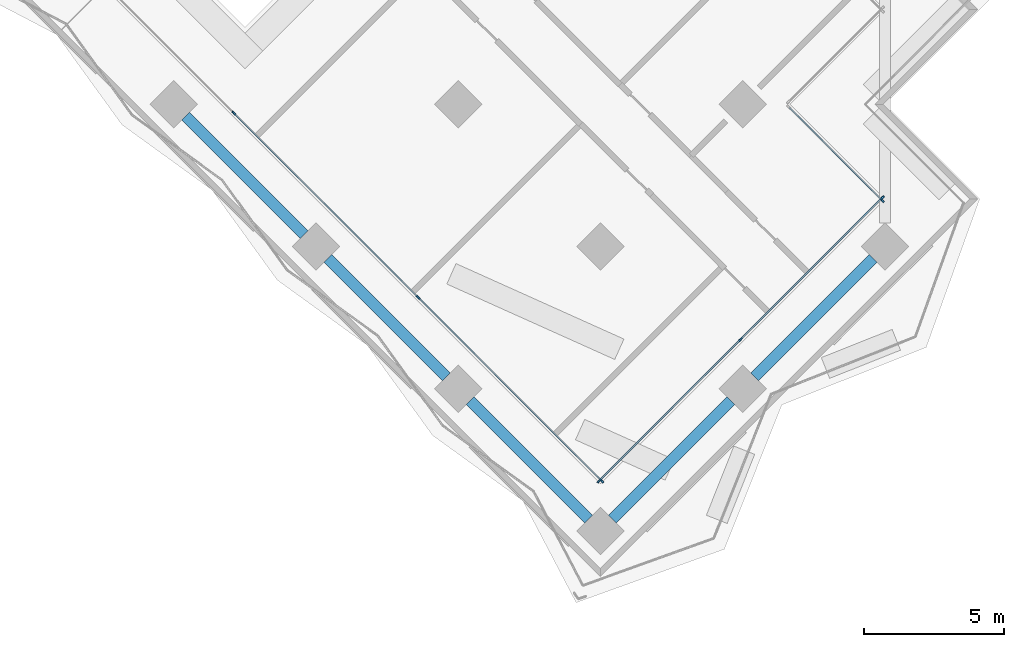
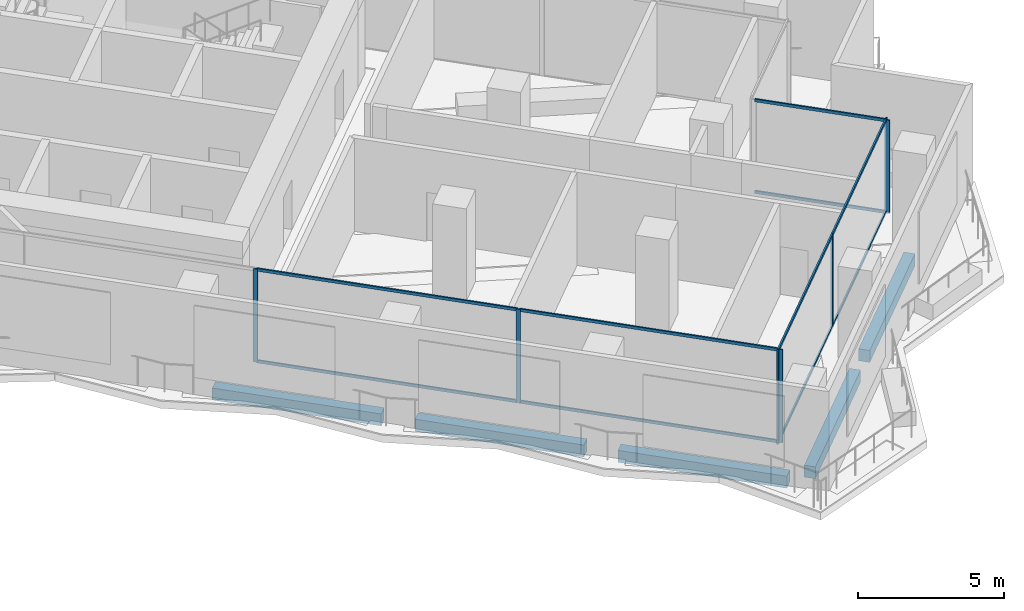
# One storey, part 9 of 24: 17 members, 5 beams, 3 elements without a shape of their own.
"""IFC4 building model written with IfcOpenShell, lengths in metres."""

import ifcopenshell
import ifcopenshell.guid

model = None  # the IFC model being written
_history = None  # IfcOwnerHistory: only IFC2X3 demands one
_inside = {}  # id of a spatial element -> (the spatial element, [elements in it])
_under = {}  # id of a project, library or spatial element -> (it, [spatial elements below it])
_declared = {}  # id of a project -> (the project, [libraries it declares])
_typed = {}  # id of a type object -> (the type object, [elements of that type])
_made_of = {}  # id of a material, layer set ... -> (it, [elements and type objects made of it])


def new_model(schema):
    """Start an empty IFC model of exactly this schema.

    Asked for "IFC4X3", IfcOpenShell would pick the latest addendum, in which some entities
    have other attributes; the version numbers below select the first issue.
    IFC2X3 requires an IfcOwnerHistory on every rooted entity: one is made here for all.
    """
    global model, _history
    if schema == "IFC4X3":
        model = ifcopenshell.file(schema_version=(4, 3, 0, 0))
    else:
        model = ifcopenshell.file(schema=schema)
    _inside.clear()
    _under.clear()
    _declared.clear()
    _typed.clear()
    _made_of.clear()
    _history = None
    if model.schema == "IFC2X3":
        org = make("IfcOrganization", Name="unknown")
        user = make(
            "IfcPersonAndOrganization",
            ThePerson=make("IfcPerson", FamilyName="unknown"),
            TheOrganization=org,
        )
        app = make(
            "IfcApplication",
            ApplicationDeveloper=org,
            Version="unknown",
            ApplicationFullName="unknown",
            ApplicationIdentifier="unknown",
        )
        _history = make(
            "IfcOwnerHistory",
            OwningUser=user,
            OwningApplication=app,
            ChangeAction="ADDED",
            CreationDate=0,
        )
    return model


def make(cls, **values):
    """One entity of the class cls with the attributes given. An attribute that is None is left unset."""
    return model.create_entity(
        cls, **{name: value for name, value in values.items() if value is not None}
    )


def rooted(cls, **values):
    """An entity with a GlobalId (a new one), such as an element, a storey or a relation."""
    return make(cls, GlobalId=ifcopenshell.guid.new(), OwnerHistory=_history, **values)


def si_unit(unit_type, name, prefix=None):
    """IfcSIUnit, for example si_unit("LENGTHUNIT", "METRE", prefix="MILLI")."""
    return make("IfcSIUnit", UnitType=unit_type, Prefix=prefix, Name=name)


def assignment(units):
    """IfcUnitAssignment: the units of a project."""
    return None if units is None else make("IfcUnitAssignment", Units=units)


def point(xyz):
    """IfcCartesianPoint."""
    return None if xyz is None else make("IfcCartesianPoint", Coordinates=xyz)


def direction(xyz):
    """IfcDirection."""
    return None if xyz is None else make("IfcDirection", DirectionRatios=xyz)


def frame(location, z_axis=None, x_axis=None):
    """IfcAxis2Placement3D, a coordinate frame: its origin and axes. An axis left out is left unset."""
    return make(
        "IfcAxis2Placement3D",
        Location=point(location),
        Axis=direction(z_axis),
        RefDirection=direction(x_axis),
    )


def frame_2d(location, x_axis=None):
    """IfcAxis2Placement2D, a coordinate frame in the plane: its origin and x axis."""
    return make(
        "IfcAxis2Placement2D", Location=point(location), RefDirection=direction(x_axis)
    )


def origin():
    """The frame at (0, 0, 0) with its axes left unset."""
    return frame((0.0, 0.0, 0.0))


def origin_2d():
    """The frame at (0, 0) in the plane with its x axis left unset."""
    return frame_2d((0.0, 0.0))


def place(relative_to, where):
    """IfcLocalPlacement: puts the frame where relative to a parent placement (None: the world)."""
    return make(
        "IfcLocalPlacement", PlacementRelTo=relative_to, RelativePlacement=where
    )


def context(
    kind, dimensions, precision=None, world=None, true_north=None, identifier=None
):
    """IfcGeometricRepresentationContext, for example the 3D "Model" context."""
    return make(
        "IfcGeometricRepresentationContext",
        ContextIdentifier=identifier,
        ContextType=kind,
        CoordinateSpaceDimension=dimensions,
        Precision=precision,
        WorldCoordinateSystem=world,
        TrueNorth=true_north,
    )


def subcontext(parent, identifier, kind, view, scale=None):
    """IfcGeometricRepresentationSubContext, for example "Body" below "Model"."""
    return make(
        "IfcGeometricRepresentationSubContext",
        ContextIdentifier=identifier,
        ContextType=kind,
        ParentContext=parent,
        TargetScale=scale,
        TargetView=view,
    )


def project(units=None, contexts=None):
    """IfcProject with its units and contexts."""
    return rooted(
        "IfcProject",
        Name="project",
        RepresentationContexts=contexts,
        UnitsInContext=assignment(units),
    )


def spatial(cls, under=None, at=None, **own):
    """A site, building, storey or space (cls), placed at a placement, below another one or the project."""
    s = rooted(cls, ObjectPlacement=at, **own)
    if under is not None:
        _under.setdefault(under.id(), (under, []))[1].append(s)
    return s


def profile(cls, at=None, kind="AREA", **sizes):
    """A parametric profile (cls). Its sizes go by their IFC names, for example OverallWidth=200.0."""
    return make(cls, ProfileType=kind, Position=at, **sizes)


def rectangle(**sizes):
    """IfcRectangleProfileDef."""
    return profile("IfcRectangleProfileDef", **sizes)


def extrude(swept, where, along, depth):
    """IfcExtrudedAreaSolid: the profile swept, set in the frame where, extruded along a direction by depth."""
    return make(
        "IfcExtrudedAreaSolid",
        SweptArea=swept,
        Position=where,
        ExtrudedDirection=direction(along),
        Depth=depth,
    )


def shape(context_of_items, identifier, shape_type, items):
    """IfcShapeRepresentation: the items that make up one representation, for example the "Body"."""
    return make(
        "IfcShapeRepresentation",
        ContextOfItems=context_of_items,
        RepresentationIdentifier=identifier,
        RepresentationType=shape_type,
        Items=items,
    )


def material(Name=None, Category=None):
    """IfcMaterial."""
    return make("IfcMaterial", Name=Name, Category=Category)


def material_profile(
    of_material, cross_section, Name=None, Category=None, Priority=None
):
    """IfcMaterialProfile: a cross section and its material."""
    return make(
        "IfcMaterialProfile",
        Name=Name,
        Material=of_material,
        Profile=cross_section,
        Priority=Priority,
        Category=Category,
    )


def profile_set(profiles, Name=None, composite=None):
    """IfcMaterialProfileSet."""
    return make(
        "IfcMaterialProfileSet",
        Name=Name,
        MaterialProfiles=profiles,
        CompositeProfile=composite,
    )


def made_of(thing, what):
    """Note that an element or type object is made of a material, layer set ...; save() writes the relation."""
    if what is not None:
        _made_of.setdefault(what.id(), (what, []))[1].append(thing)
    return thing


def type_object(cls, material=None, **own):
    """A type object (cls), such as IfcWallType, which elements share."""
    return made_of(rooted(cls, **own), material)


def element(
    cls,
    number,
    at=None,
    inside=None,
    cuts=None,
    type_object=None,
    material=None,
    context=None,
    identifier="Body",
    shape_type=None,
    held_by="IfcProductDefinitionShape",
    body=None,
    shapes=None,
    **own,
):
    """One element of the class cls, such as IfcWall. Its Tag is "e" and its number.

    at: its placement. inside: the storey or other place that contains it. cuts: it is an
    opening in that element (IfcRelVoidsElement). A single representation is given by context,
    identifier, shape_type and body (its items); several are given by shapes. held_by: the class
    of the entity that holds the representations. save() writes the other relations.
    """
    e = rooted(cls, Tag="e%d" % number, ObjectPlacement=at, **own)
    if body is not None:
        shapes = [shape(context, identifier, shape_type, body)]
    if shapes is not None:
        e.Representation = make(held_by, Representations=shapes)
    if inside is not None:
        _inside.setdefault(inside.id(), (inside, []))[1].append(e)
    if cuts is not None:
        rooted(
            "IfcRelVoidsElement", RelatingBuildingElement=cuts, RelatedOpeningElement=e
        )
    if type_object is not None:
        _typed.setdefault(type_object.id(), (type_object, []))[1].append(e)
    return made_of(e, material)


def aggregate(whole, parts):
    """IfcRelAggregates: a whole, such as a stair, and the parts it consists of."""
    return rooted("IfcRelAggregates", RelatingObject=whole, RelatedObjects=parts)


def save(model, path):
    """Write the relations noted so far, then the file.

    IfcRelAggregates (storeys below a building ...), IfcRelContainedInSpatialStructure (elements
    in a storey), IfcRelDefinesByType, IfcRelAssociatesMaterial and IfcRelDeclares: one each for
    every whole, place, type object, material and project.
    """
    for whole, parts in _under.values():
        aggregate(whole, parts)
    for where, things in _inside.values():
        rooted(
            "IfcRelContainedInSpatialStructure",
            RelatedElements=things,
            RelatingStructure=where,
        )
    for kind, things in _typed.values():
        rooted("IfcRelDefinesByType", RelatedObjects=things, RelatingType=kind)
    for what, things in _made_of.values():
        rooted("IfcRelAssociatesMaterial", RelatedObjects=things, RelatingMaterial=what)
    for by, libraries in _declared.values():
        rooted("IfcRelDeclares", RelatingContext=by, RelatedDefinitions=libraries)
    model.write(path)


model = new_model("IFC4")

# Units and contexts
model_context = context("Model", 3, precision=1e-05, world=origin(), true_north=direction((0.0, 1.0)))
body_context = subcontext(model_context, "Body", "Model", "MODEL_VIEW")
ifc_project = project(units=[si_unit("LENGTHUNIT", "METRE"), si_unit("AREAUNIT", "SQUARE_METRE"), si_unit("VOLUMEUNIT", "CUBIC_METRE"), si_unit("PLANEANGLEUNIT", "RADIAN"), si_unit("MASSUNIT", "GRAM", prefix="KILO")], contexts=[model_context])

# Site, building, storey
site_placement = place(None, origin())
site = spatial("IfcSite", under=ifc_project, at=site_placement, CompositionType="ELEMENT")
building_placement = place(site_placement, origin())
building = spatial("IfcBuilding", under=site, at=building_placement, Name="Windrow Commons", CompositionType="ELEMENT")
storey_placement = place(building_placement, frame((0.0, 0.0, 67.8)))
storey = spatial("IfcBuildingStorey", under=building, at=storey_placement, Name="L18", CompositionType="ELEMENT", Elevation=67.8)

# Curtain wall, member
ifc_material_1 = material(Name="Clear laminated glass in Aluminium 6063-T6 anodised frame", Category="aluminium")
curtain_wall_type = type_object("IfcCurtainWallType", Name="Curtain wall CW2 sky lounge", PredefinedType="USERDEFINED", material=ifc_material_1)
placement = place(storey_placement, origin())
curtain_wall_1 = element("IfcCurtainWall", 1, at=placement, inside=storey, type_object=curtain_wall_type, Name="Curtain wall CW2 L18 1", ObjectType="UNITISED", PredefinedType="USERDEFINED")
ifc_material_2 = material(Name="Aluminium 6063-T6", Category="aluminium")
ifc_material_profile_1 = material_profile(ifc_material_2, rectangle(XDim=0.06, YDim=0.16, at=origin_2d()))
ifc_profile_set_1 = profile_set([ifc_material_profile_1], Name="Aluminium 6063-T6")
member_type_1 = type_object("IfcMemberType", Name="CW2 mullion 60x160", PredefinedType="MULLION", material=ifc_profile_set_1)
member_1_placement = place(storey_placement, frame((109.6551, 32.9182, 0.0), z_axis=(0.0, 0.0, 1.0), x_axis=(-0.7071067812, -0.7071067812, 0.0)))
member_1 = element("IfcMember", 2, at=member_1_placement, type_object=member_type_1, Name="CW2 mullion 1", PredefinedType="MULLION", context=body_context, shape_type="SweptSolid", body=[
    extrude(rectangle(XDim=0.06, YDim=0.16, at=origin_2d()), origin(), (0.0, 0.0, 1.0), 3.9),
])

# Curtain wall, members
curtain_wall_2 = element("IfcCurtainWall", 3, at=placement, inside=storey, type_object=curtain_wall_type, Name="Curtain wall CW2 L18 13", ObjectType="UNITISED", PredefinedType="USERDEFINED")
member_2_placement = place(storey_placement, frame((86.4423, 36.0492, 0.0), z_axis=(0.0, 0.0, 1.0), x_axis=(0.7071051455, 0.7071084169, 0.0)))
member_2 = element("IfcMember", 4, at=member_2_placement, type_object=member_type_1, Name="CW2 mullion 2", PredefinedType="MULLION", context=body_context, shape_type="SweptSolid", body=[
    extrude(rectangle(XDim=0.06, YDim=0.16, at=origin_2d()), origin(), (0.0, 0.0, 1.0), 3.9),
])
member_3_placement = place(storey_placement, frame((93.0388, 29.4526, 0.0), z_axis=(0.0, 0.0, 1.0), x_axis=(0.7071051455, 0.7071084169, 0.0)))
member_3 = element("IfcMember", 5, at=member_3_placement, type_object=member_type_1, Name="CW2 mullion 3", PredefinedType="MULLION", context=body_context, shape_type="SweptSolid", body=[
    extrude(rectangle(XDim=0.06, YDim=0.16, at=origin_2d()), origin(), (0.0, 0.0, 1.0), 3.9),
])
member_4_placement = place(storey_placement, frame((99.6142, 22.8773, 0.0), z_axis=(0.0, 0.0, 1.0), x_axis=(0.7071051455, 0.7071084169, 0.0)))
member_4 = element("IfcMember", 6, at=member_4_placement, type_object=member_type_1, Name="CW2 mullion 4", PredefinedType="MULLION", context=body_context, shape_type="SweptSolid", body=[
    extrude(rectangle(XDim=0.06, YDim=0.16, at=origin_2d()), origin(), (0.0, 0.0, 1.0), 3.9),
])

curtain_wall_3 = element("IfcCurtainWall", 7, at=placement, inside=storey, type_object=curtain_wall_type, Name="Curtain wall CW2 L18 14", ObjectType="UNITISED", PredefinedType="USERDEFINED")
member_5_placement = place(storey_placement, frame((99.5152, 22.8773, 0.0), z_axis=(0.0, 0.0, 1.0), x_axis=(-0.7071067812, 0.7071067812, 0.0)))
member_5 = element("IfcMember", 8, at=member_5_placement, type_object=member_type_1, Name="CW2 mullion 1", PredefinedType="MULLION", context=body_context, shape_type="SweptSolid", body=[
    extrude(rectangle(XDim=0.06, YDim=0.16, at=origin_2d()), origin(), (0.0, 0.0, 1.0), 3.9),
])
member_6_placement = place(storey_placement, frame((104.5851, 27.9473, 0.0), z_axis=(0.0, 0.0, 1.0), x_axis=(-0.7071067812, 0.7071067812, 0.0)))
member_6 = element("IfcMember", 9, at=member_6_placement, type_object=member_type_1, Name="CW2 mullion 2", PredefinedType="MULLION", context=body_context, shape_type="SweptSolid", body=[
    extrude(rectangle(XDim=0.06, YDim=0.16, at=origin_2d()), origin(), (0.0, 0.0, 1.0), 3.9),
])
member_7_placement = place(storey_placement, frame((109.6551, 33.0172, 0.0), z_axis=(0.0, 0.0, 1.0), x_axis=(-0.7071067812, 0.7071067812, 0.0)))
member_7 = element("IfcMember", 10, at=member_7_placement, type_object=member_type_1, Name="CW2 mullion 3", PredefinedType="MULLION", context=body_context, shape_type="SweptSolid", body=[
    extrude(rectangle(XDim=0.06, YDim=0.16, at=origin_2d()), origin(), (0.0, 0.0, 1.0), 3.9),
])

# Member
ifc_material_3 = material(Name="Aluminium 6063-T6", Category="aluminium")
ifc_material_profile_2 = material_profile(ifc_material_3, rectangle(XDim=0.06, YDim=0.12, at=origin_2d()))
ifc_profile_set_2 = profile_set([ifc_material_profile_2], Name="Aluminium 6063-T6")
member_type_2 = type_object("IfcMemberType", Name="CW2 transom 60x120", PredefinedType="USERDEFINED", material=ifc_profile_set_2)
member_8_placement = place(storey_placement, frame((109.6339, 32.9394, 0.03), z_axis=(-0.7071067812, 0.7071067812, 0.0), x_axis=(-0.7071067812, -0.7071067812, 0.0)))
member_8 = element("IfcMember", 11, at=member_8_placement, type_object=member_type_2, Name="CW2 transom 1.1", ObjectType="TRANSOM", PredefinedType="USERDEFINED", context=body_context, shape_type="SweptSolid", body=[
    extrude(rectangle(XDim=0.06, YDim=0.12, at=origin_2d()), origin(), (0.0, 0.0, 1.0), 4.6801),
])

member_9_placement = place(storey_placement, frame((109.6339, 32.9394, 3.87), z_axis=(-0.7071067812, 0.7071067812, 0.0), x_axis=(-0.7071067812, -0.7071067812, 0.0)))
member_9 = element("IfcMember", 12, at=member_9_placement, type_object=member_type_2, Name="CW2 transom 1.2", ObjectType="TRANSOM", PredefinedType="USERDEFINED", context=body_context, shape_type="SweptSolid", body=[
    extrude(rectangle(XDim=0.06, YDim=0.12, at=origin_2d()), origin(), (0.0, 0.0, 1.0), 4.6801),
])

aggregate(curtain_wall_1, [member_1, member_8, member_9])

member_10_placement = place(storey_placement, frame((86.4635, 36.028, 0.03), z_axis=(0.7071067812, -0.7071067812, 0.0), x_axis=(0.7071067812, 0.7071067812, 0.0)))
member_10 = element("IfcMember", 13, at=member_10_placement, type_object=member_type_2, Name="CW2 transom 2.1", ObjectType="TRANSOM", PredefinedType="USERDEFINED", context=body_context, shape_type="SweptSolid", body=[
    extrude(rectangle(XDim=0.06, YDim=0.12, at=origin_2d()), origin(), (0.0, 0.0, 1.0), 9.2689),
])

member_11_placement = place(storey_placement, frame((86.4635, 36.028, 3.87), z_axis=(0.7071067812, -0.7071067812, 0.0), x_axis=(0.7071067812, 0.7071067812, 0.0)))
member_11 = element("IfcMember", 14, at=member_11_placement, type_object=member_type_2, Name="CW2 transom 2.2", ObjectType="TRANSOM", PredefinedType="USERDEFINED", context=body_context, shape_type="SweptSolid", body=[
    extrude(rectangle(XDim=0.06, YDim=0.12, at=origin_2d()), origin(), (0.0, 0.0, 1.0), 9.2689),
])

member_12_placement = place(storey_placement, frame((93.0601, 29.4314, 0.03), z_axis=(0.7071067812, -0.7071067812, 0.0), x_axis=(0.7071067812, 0.7071067812, 0.0)))
member_12 = element("IfcMember", 15, at=member_12_placement, type_object=member_type_2, Name="CW2 transom 3.1", ObjectType="TRANSOM", PredefinedType="USERDEFINED", context=body_context, shape_type="SweptSolid", body=[
    extrude(rectangle(XDim=0.06, YDim=0.12, at=origin_2d()), origin(), (0.0, 0.0, 1.0), 9.2389),
])

member_13_placement = place(storey_placement, frame((93.0601, 29.4314, 3.87), z_axis=(0.7071067812, -0.7071067812, 0.0), x_axis=(0.7071067812, 0.7071067812, 0.0)))
member_13 = element("IfcMember", 16, at=member_13_placement, type_object=member_type_2, Name="CW2 transom 3.2", ObjectType="TRANSOM", PredefinedType="USERDEFINED", context=body_context, shape_type="SweptSolid", body=[
    extrude(rectangle(XDim=0.06, YDim=0.12, at=origin_2d()), origin(), (0.0, 0.0, 1.0), 9.2389),
])

aggregate(curtain_wall_2, [member_2, member_3, member_4, member_10, member_11, member_12, member_13])

member_14_placement = place(storey_placement, frame((99.5364, 22.8985, 0.03), z_axis=(0.7071067812, 0.7071067812, 0.0), x_axis=(-0.7071067812, 0.7071067812, 0.0)))
member_14 = element("IfcMember", 17, at=member_14_placement, type_object=member_type_2, Name="CW2 transom 1.1", ObjectType="TRANSOM", PredefinedType="USERDEFINED", context=body_context, shape_type="SweptSolid", body=[
    extrude(rectangle(XDim=0.06, YDim=0.12, at=origin_2d()), origin(), (0.0, 0.0, 1.0), 7.11),
])

member_15_placement = place(storey_placement, frame((99.5364, 22.8985, 3.87), z_axis=(0.7071067812, 0.7071067812, 0.0), x_axis=(-0.7071067812, 0.7071067812, 0.0)))
member_15 = element("IfcMember", 18, at=member_15_placement, type_object=member_type_2, Name="CW2 transom 1.2", ObjectType="TRANSOM", PredefinedType="USERDEFINED", context=body_context, shape_type="SweptSolid", body=[
    extrude(rectangle(XDim=0.06, YDim=0.12, at=origin_2d()), origin(), (0.0, 0.0, 1.0), 7.11),
])

member_16_placement = place(storey_placement, frame((104.6064, 27.9685, 0.03), z_axis=(0.7071067812, 0.7071067812, 0.0), x_axis=(-0.7071067812, 0.7071067812, 0.0)))
member_16 = element("IfcMember", 19, at=member_16_placement, type_object=member_type_2, Name="CW2 transom 2.1", ObjectType="TRANSOM", PredefinedType="USERDEFINED", context=body_context, shape_type="SweptSolid", body=[
    extrude(rectangle(XDim=0.06, YDim=0.12, at=origin_2d()), origin(), (0.0, 0.0, 1.0), 7.11),
])

member_17_placement = place(storey_placement, frame((104.6064, 27.9685, 3.87), z_axis=(0.7071067812, 0.7071067812, 0.0), x_axis=(-0.7071067812, 0.7071067812, 0.0)))
member_17 = element("IfcMember", 20, at=member_17_placement, type_object=member_type_2, Name="CW2 transom 2.2", ObjectType="TRANSOM", PredefinedType="USERDEFINED", context=body_context, shape_type="SweptSolid", body=[
    extrude(rectangle(XDim=0.06, YDim=0.12, at=origin_2d()), origin(), (0.0, 0.0, 1.0), 7.11),
])

aggregate(curtain_wall_3, [member_5, member_6, member_7, member_14, member_15, member_16, member_17])

# Beams
ifc_material_4 = material(Name="Concrete C60/75", Category="concrete")
ifc_material_profile_3 = material_profile(ifc_material_4, rectangle(XDim=0.4, YDim=0.5, at=origin_2d()))
ifc_profile_set_3 = profile_set([ifc_material_profile_3], Name="Concrete C60/75")
beam_type = type_object("IfcBeamType", Name="RC EDGE BEAM 400x500 C60/75", PredefinedType="SPANDREL", material=ifc_profile_set_3)
for number, where, z_axis, x_axis, name in (
    (21, (109.3227, 30.8463, -0.55), (-0.7071151146, -0.7070984476, 0.0), (0.7070984476, -0.7071151146, 0.0), "Edge beam L18 020"),
    (22, (104.2315, 25.7552, -0.55), (-0.7070984476, -0.7071151146, 0.0), (0.7071151146, -0.7070984476, 0.0), "Edge beam L18 021"),
    (23, (99.1404, 21.5126, -0.55), (-0.7071067812, 0.7071067812, 0.0), (-0.7071067812, -0.7071067812, 0.0), "Edge beam L18 022"),
    (24, (94.0492, 26.6038, -0.55), (-0.7071151146, 0.7070984476, 0.0), (-0.7070984476, -0.7071151146, 0.0), "Edge beam L18 023"),
    (25, (88.958, 31.6949, -0.55), (-0.7070984476, 0.7071151146, 0.0), (-0.7071151146, -0.7070984476, 0.0), "Edge beam L18 024"),
):
    element("IfcBeam", number, at=place(storey_placement, frame(where, z_axis=z_axis, x_axis=x_axis)), inside=storey, type_object=beam_type, Name=name, PredefinedType="SPANDREL", context=body_context, shape_type="SweptSolid", body=[
        extrude(rectangle(XDim=0.4, YDim=0.5, at=origin_2d()), origin(), (0.0, 0.0, 1.0), 5.9999),
    ])

save(model, "model.ifc")
